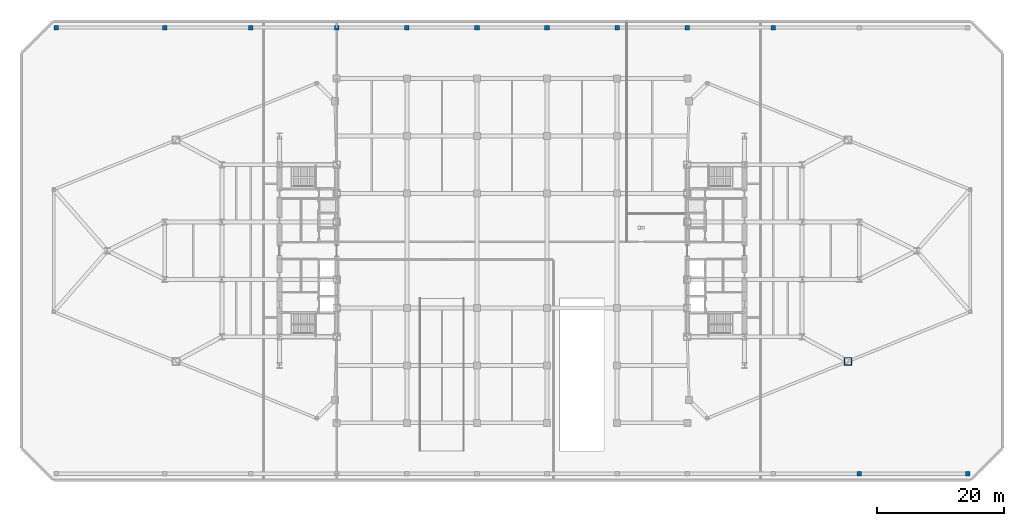
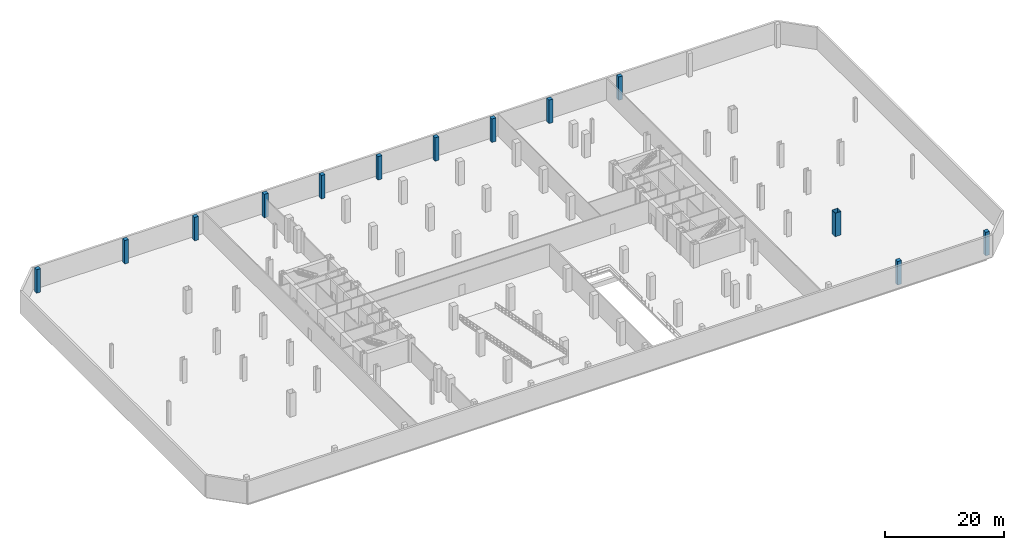
# One storey, part 5 of 18: 13 columns.
"""IFC4 building model written with IfcOpenShell, lengths in metres."""

from ifc_helpers import new_model, si_unit, direction, frame, origin, origin_2d, place, context, subcontext, project, spatial, rectangle, hollow_rectangle, extrude, source, transform, mapped, material, material_profile, profile_set, type_object, type_shapes, element, save


model = new_model("IFC4")

# Units and contexts
model_context = context("Model", 3, precision=1e-05, world=origin(), true_north=direction((0.0, 1.0)))
body_context = subcontext(model_context, "Body", "Model", "MODEL_VIEW")
ifc_project = project(units=[si_unit("LENGTHUNIT", "METRE"), si_unit("AREAUNIT", "SQUARE_METRE"), si_unit("VOLUMEUNIT", "CUBIC_METRE"), si_unit("PLANEANGLEUNIT", "RADIAN"), si_unit("MASSUNIT", "GRAM", prefix="KILO")], contexts=[model_context])

# Site, building, storey
site_placement = place(None, origin())
site = spatial("IfcSite", under=ifc_project, at=site_placement, CompositionType="ELEMENT")
building_placement = place(site_placement, origin())
building = spatial("IfcBuilding", under=site, at=building_placement, Name="Seokmaru Belvedere", CompositionType="ELEMENT")
storey_placement = place(building_placement, frame((0.0, 0.0, -4.800048828125)))
storey = spatial("IfcBuildingStorey", under=building, at=storey_placement, Name="B1", CompositionType="ELEMENT", Elevation=-4.800048828125)

# Columns
ifc_material_1 = material(Name="Steel HSA650 (650 MPa)", Category="steel")
ifc_material_profile_1 = material_profile(ifc_material_1, hollow_rectangle(XDim=1.14990234375, YDim=1.14990234375, WallThickness=0.048095703125, at=origin_2d()), Name="BOX-1150x1150x48")
ifc_profile_set_1 = profile_set([ifc_material_profile_1], Name="Steel HSA650 (650 MPa)")
column_type_1 = type_object("IfcColumnType", Name="Portal Spine Column BOX-1150", PredefinedType="COLUMN", material=ifc_profile_set_1)
shared_shape_1 = source(origin(), body_context, "Body", "SweptSolid", [
    extrude(hollow_rectangle(XDim=1.14990234375, YDim=1.14990234375, WallThickness=0.048095703125, at=origin_2d()), origin(), (0.0, 0.0, 1.0), 4.800048828125),
])
type_shapes(column_type_1, [shared_shape_1])
column_placement = place(storey_placement, frame((52.715576171875, -17.360595703125, 0.0), z_axis=(0.0, 0.0, 1.0), x_axis=(1.0, 0.0, 0.0)))
element("IfcColumn", 1, at=column_placement, inside=storey, type_object=column_type_1, Name="B1 Column EFLK_S2", PredefinedType="COLUMN", context=body_context, shape_type="MappedRepresentation", body=[
    mapped(shared_shape_1, transform((0.0, 0.0, 0.0), scale=1.0)),
])
ifc_material_2 = material(Name="Concrete C50 (50 MPa)", Category="concrete")
ifc_material_profile_2 = material_profile(ifc_material_2, rectangle(XDim=0.75, YDim=0.75, at=origin_2d()), Name="RC-750x750")
ifc_profile_set_2 = profile_set([ifc_material_profile_2], Name="Concrete C50 (50 MPa)")
column_type_2 = type_object("IfcColumnType", Name="Plaza Substructure Pier Column RC-750", PredefinedType="COLUMN", material=ifc_profile_set_2)
shared_shape_2 = source(origin(), body_context, "Body", "SweptSolid", [
    extrude(rectangle(XDim=0.75, YDim=0.75, at=origin_2d()), origin(), (0.0, 0.0, 1.0), 4.800048828125),
])
type_shapes(column_type_2, [shared_shape_2])
for number, where, z_axis, x_axis, name in (
    (2, (-71.5, 35.0, 0.0), (0.0, 0.0, 1.0), (1.0, 0.0, 0.0), "B1 Column PLZ_N1"),
    (3, (-54.5, 35.0, 0.0), (0.0, 0.0, 1.0), (1.0, 0.0, 0.0), "B1 Column PLZ_N2"),
    (4, (-41.0, 35.0, 0.0), (0.0, 0.0, 1.0), (1.0, 0.0, 0.0), "B1 Column PLZ_N3"),
    (5, (-27.5, 35.0, 0.0), (0.0, 0.0, 1.0), (1.0, 0.0, 0.0), "B1 Column PLZ_N4"),
    (6, (-16.5, 35.0, 0.0), (0.0, 0.0, 1.0), (1.0, 0.0, 0.0), "B1 Column PLZ_N5"),
    (7, (-5.5, 35.0, 0.0), (0.0, 0.0, 1.0), (1.0, 0.0, 0.0), "B1 Column PLZ_N6"),
    (8, (5.5, 35.0, 0.0), (0.0, 0.0, 1.0), (1.0, 0.0, 0.0), "B1 Column PLZ_N7"),
    (9, (16.5, 35.0, 0.0), (0.0, 0.0, 1.0), (1.0, 0.0, 0.0), "B1 Column PLZ_N8"),
    (10, (27.5, 35.0, 0.0), (0.0, 0.0, 1.0), (1.0, 0.0, 0.0), "B1 Column PLZ_N9"),
    (11, (41.0, 35.0, 0.0), (0.0, 0.0, 1.0), (1.0, 0.0, 0.0), "B1 Column PLZ_N10"),
    (12, (54.5, -35.0, 0.0), (0.0, 0.0, 1.0), (1.0, 0.0, 0.0), "B1 Column PLZ_S11"),
    (13, (71.5, -35.0, 0.0), (0.0, 0.0, 1.0), (1.0, 0.0, 0.0), "B1 Column PLZ_S12"),
):
    element("IfcColumn", number, at=place(storey_placement, frame(where, z_axis=z_axis, x_axis=x_axis)), inside=storey, type_object=column_type_2, Name=name, PredefinedType="COLUMN", context=body_context, shape_type="MappedRepresentation", body=[
        mapped(shared_shape_2, transform((0.0, 0.0, 0.0), scale=1.0)),
    ])

save(model, "model.ifc")
